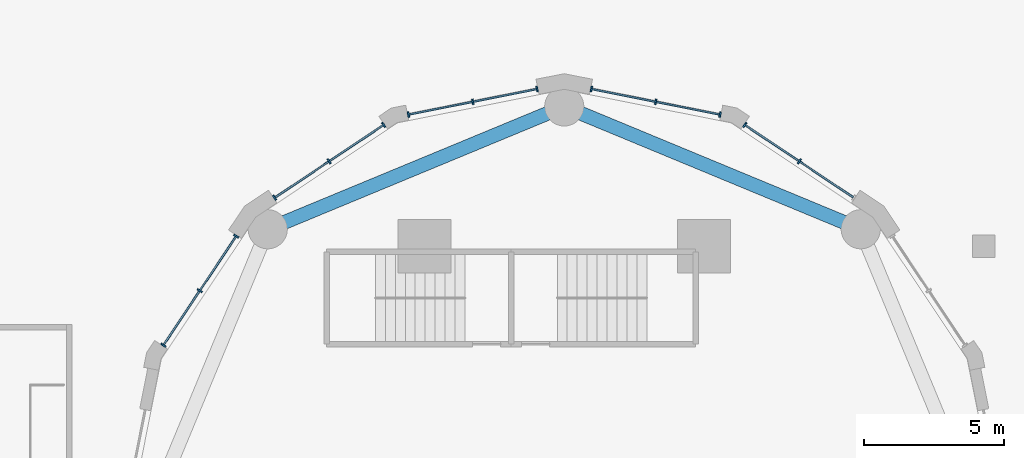
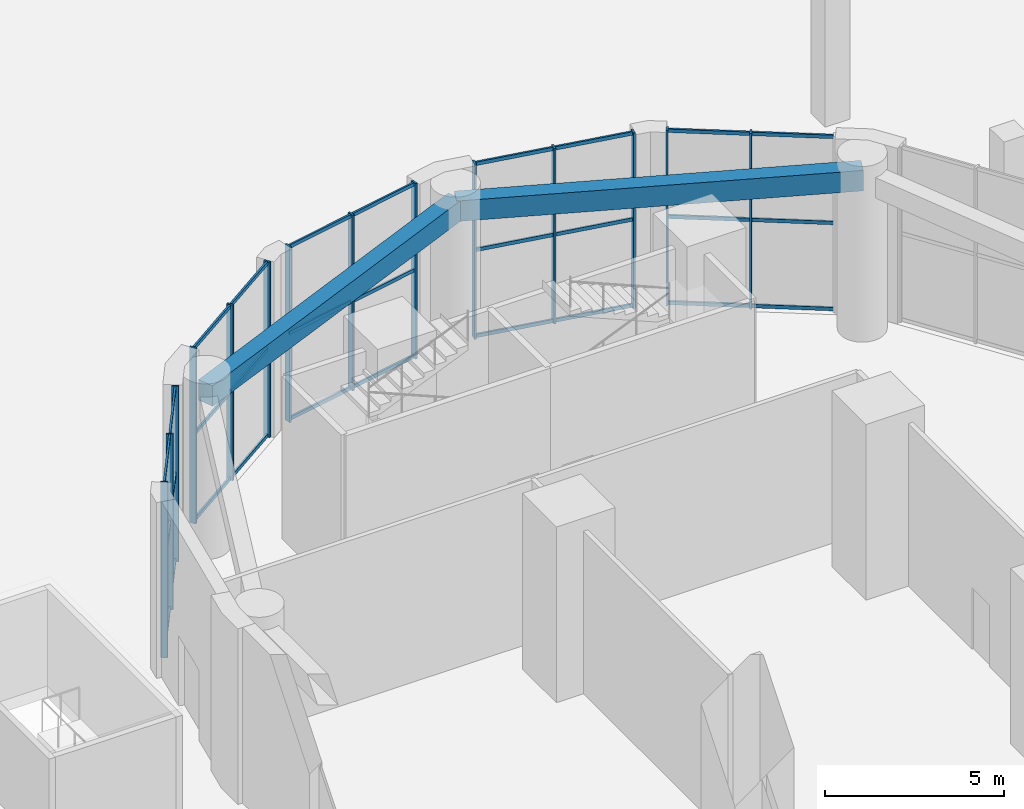
# One storey, part 2 of 21: 44 members, 2 beams, 5 elements without a shape of their own.
"""IFC4 building model written with IfcOpenShell, lengths in metres."""

from ifc_helpers import new_model, si_unit, direction, frame, origin, origin_2d, place, context, subcontext, project, spatial, rectangle, extrude, material, layer, layer_set, material_profile, profile_set, type_object, element, aggregate, save


model = new_model("IFC4")

# Units and contexts
model_context = context("Model", 3, precision=1e-05, world=origin(), true_north=direction((0.0, 1.0)))
body_context = subcontext(model_context, "Body", "Model", "MODEL_VIEW")
ifc_project = project(units=[si_unit("LENGTHUNIT", "METRE"), si_unit("AREAUNIT", "SQUARE_METRE"), si_unit("VOLUMEUNIT", "CUBIC_METRE"), si_unit("PLANEANGLEUNIT", "RADIAN"), si_unit("MASSUNIT", "GRAM", prefix="KILO")], contexts=[model_context])

# Site, building, storey
site_placement = place(None, origin())
site = spatial("IfcSite", under=ifc_project, at=site_placement, CompositionType="ELEMENT")
building_placement = place(site_placement, origin())
building = spatial("IfcBuilding", under=site, at=building_placement, Name="Qaws Garden Tower", CompositionType="ELEMENT")
storey_placement = place(building_placement, origin())
storey = spatial("IfcBuildingStorey", under=building, at=storey_placement, Name="L00", CompositionType="ELEMENT", Elevation=0.0)

# Curtain wall, members
ifc_material_1 = material(Name="Anodised aluminium curtain wall frame", Category="aluminium")
ifc_layer = layer(ifc_material_1, 0.159912109375)
ifc_layer_set = layer_set([ifc_layer], Name="Anodised aluminium curtain wall frame")
curtain_wall_type = type_object("IfcCurtainWallType", Name="CW1 street shopfront curtain wall", PredefinedType="NOTDEFINED", material=ifc_layer_set)
placement = place(storey_placement, origin())
curtain_wall_1 = element("IfcCurtainWall", 1, at=placement, inside=storey, type_object=curtain_wall_type, Name="CW1 Street shopfront 17", PredefinedType="NOTDEFINED")
ifc_material_2 = material(Name="Anodised aluminium curtain wall frame", Category="aluminium")
ifc_material_profile_1 = material_profile(ifc_material_2, rectangle(XDim=0.199951171875, YDim=0.06005859375, at=origin_2d()), Name="AL 60x200")
ifc_profile_set_1 = profile_set([ifc_material_profile_1], Name="Anodised aluminium curtain wall frame")
member_type_1 = type_object("IfcMemberType", Name="CW1 mullion 60 x 200", PredefinedType="MULLION", material=ifc_profile_set_1)
member_1_placement = place(storey_placement, frame((23.409912109375, 73.036376953125, 0.0), z_axis=(0.0, 0.0, 1.0), x_axis=(-0.555570233165, -0.831469612206, 0.0)))
member_1 = element("IfcMember", 2, at=member_1_placement, type_object=member_type_1, Name="CW1 mullion 2", PredefinedType="MULLION", context=body_context, shape_type="SweptSolid", body=[
    extrude(rectangle(XDim=0.199951171875, YDim=0.06005859375, at=origin_2d()), origin(), (0.0, 0.0, 1.0), 6.0),
])
member_2_placement = place(storey_placement, frame((21.458984375, 74.340087890625, 0.0), z_axis=(0.0, 0.0, 1.0), x_axis=(-0.555570233165, -0.831469612206, 0.0)))
member_2 = element("IfcMember", 3, at=member_2_placement, type_object=member_type_1, Name="CW1 mullion 3", PredefinedType="MULLION", context=body_context, shape_type="SweptSolid", body=[
    extrude(rectangle(XDim=0.199951171875, YDim=0.06005859375, at=origin_2d()), origin(), (0.0, 0.0, 1.0), 6.0),
])

curtain_wall_2 = element("IfcCurtainWall", 4, at=placement, inside=storey, type_object=curtain_wall_type, Name="CW1 Street shopfront 18", PredefinedType="NOTDEFINED")
member_3_placement = place(storey_placement, frame((20.57275390625, 74.707275390625, 0.0), z_axis=(0.0, 0.0, 1.0), x_axis=(-0.195090321999, -0.980785280407, 0.0)))
member_3 = element("IfcMember", 5, at=member_3_placement, type_object=member_type_1, Name="CW1 mullion 1", PredefinedType="MULLION", context=body_context, shape_type="SweptSolid", body=[
    extrude(rectangle(XDim=0.199951171875, YDim=0.06005859375, at=origin_2d()), origin(), (0.0, 0.0, 1.0), 6.0),
])
member_4_placement = place(storey_placement, frame((18.271484375, 75.1650390625, 0.0), z_axis=(0.0, 0.0, 1.0), x_axis=(-0.195090321999, -0.980785280407, 0.0)))
member_4 = element("IfcMember", 6, at=member_4_placement, type_object=member_type_1, Name="CW1 mullion 2", PredefinedType="MULLION", context=body_context, shape_type="SweptSolid", body=[
    extrude(rectangle(XDim=0.199951171875, YDim=0.06005859375, at=origin_2d()), origin(), (0.0, 0.0, 1.0), 6.0),
])
member_5_placement = place(storey_placement, frame((15.97021484375, 75.622802734375, 0.0), z_axis=(0.0, 0.0, 1.0), x_axis=(-0.195090321999, -0.980785280407, 0.0)))
member_5 = element("IfcMember", 7, at=member_5_placement, type_object=member_type_1, Name="CW1 mullion 3", PredefinedType="MULLION", context=body_context, shape_type="SweptSolid", body=[
    extrude(rectangle(XDim=0.199951171875, YDim=0.06005859375, at=origin_2d()), origin(), (0.0, 0.0, 1.0), 6.0),
])

curtain_wall_3 = element("IfcCurtainWall", 8, at=placement, inside=storey, type_object=curtain_wall_type, Name="CW1 Street shopfront 19", PredefinedType="NOTDEFINED")
member_6_placement = place(storey_placement, frame((14.02978515625, 75.622802734375, 0.0), z_axis=(0.0, 0.0, 1.0), x_axis=(0.195090321999, -0.980785280407, 0.0)))
member_6 = element("IfcMember", 9, at=member_6_placement, type_object=member_type_1, Name="CW1 mullion 1", PredefinedType="MULLION", context=body_context, shape_type="SweptSolid", body=[
    extrude(rectangle(XDim=0.199951171875, YDim=0.06005859375, at=origin_2d()), origin(), (0.0, 0.0, 1.0), 6.0),
])
member_7_placement = place(storey_placement, frame((11.728515625, 75.1650390625, 0.0), z_axis=(0.0, 0.0, 1.0), x_axis=(0.195090321999, -0.980785280407, 0.0)))
member_7 = element("IfcMember", 10, at=member_7_placement, type_object=member_type_1, Name="CW1 mullion 2", PredefinedType="MULLION", context=body_context, shape_type="SweptSolid", body=[
    extrude(rectangle(XDim=0.199951171875, YDim=0.06005859375, at=origin_2d()), origin(), (0.0, 0.0, 1.0), 6.0),
])
member_8_placement = place(storey_placement, frame((9.42724609375, 74.707275390625, 0.0), z_axis=(0.0, 0.0, 1.0), x_axis=(0.195090321999, -0.980785280407, 0.0)))
member_8 = element("IfcMember", 11, at=member_8_placement, type_object=member_type_1, Name="CW1 mullion 3", PredefinedType="MULLION", context=body_context, shape_type="SweptSolid", body=[
    extrude(rectangle(XDim=0.199951171875, YDim=0.06005859375, at=origin_2d()), origin(), (0.0, 0.0, 1.0), 6.0),
])

curtain_wall_4 = element("IfcCurtainWall", 12, at=placement, inside=storey, type_object=curtain_wall_type, Name="CW1 Street shopfront 20", PredefinedType="NOTDEFINED")
member_9_placement = place(storey_placement, frame((8.541015625, 74.340087890625, 0.0), z_axis=(0.0, 0.0, 1.0), x_axis=(0.555570233165, -0.831469612206, 0.0)))
member_9 = element("IfcMember", 13, at=member_9_placement, type_object=member_type_1, Name="CW1 mullion 1", PredefinedType="MULLION", context=body_context, shape_type="SweptSolid", body=[
    extrude(rectangle(XDim=0.199951171875, YDim=0.06005859375, at=origin_2d()), origin(), (0.0, 0.0, 1.0), 6.0),
])
member_10_placement = place(storey_placement, frame((6.590087890625, 73.036376953125, 0.0), z_axis=(0.0, 0.0, 1.0), x_axis=(0.555570233165, -0.831469612206, 0.0)))
member_10 = element("IfcMember", 14, at=member_10_placement, type_object=member_type_1, Name="CW1 mullion 2", PredefinedType="MULLION", context=body_context, shape_type="SweptSolid", body=[
    extrude(rectangle(XDim=0.199951171875, YDim=0.06005859375, at=origin_2d()), origin(), (0.0, 0.0, 1.0), 6.0),
])
member_11_placement = place(storey_placement, frame((4.63916015625, 71.73291015625, 0.0), z_axis=(0.0, 0.0, 1.0), x_axis=(0.555570233165, -0.831469612206, 0.0)))
member_11 = element("IfcMember", 15, at=member_11_placement, type_object=member_type_1, Name="CW1 mullion 3", PredefinedType="MULLION", context=body_context, shape_type="SweptSolid", body=[
    extrude(rectangle(XDim=0.199951171875, YDim=0.06005859375, at=origin_2d()), origin(), (0.0, 0.0, 1.0), 6.0),
])

curtain_wall_5 = element("IfcCurtainWall", 16, at=placement, inside=storey, type_object=curtain_wall_type, Name="CW1 Street shopfront 21", PredefinedType="NOTDEFINED")
member_12_placement = place(storey_placement, frame((3.26708984375, 70.36083984375, 0.0), z_axis=(0.0, 0.0, 1.0), x_axis=(0.831469612206, -0.555570233165, 0.0)))
member_12 = element("IfcMember", 17, at=member_12_placement, type_object=member_type_1, Name="CW1 mullion 1", PredefinedType="MULLION", context=body_context, shape_type="SweptSolid", body=[
    extrude(rectangle(XDim=0.199951171875, YDim=0.06005859375, at=origin_2d()), origin(), (0.0, 0.0, 1.0), 6.0),
])
member_13_placement = place(storey_placement, frame((1.963623046875, 68.409912109375, 0.0), z_axis=(0.0, 0.0, 1.0), x_axis=(0.831469612206, -0.555570233165, 0.0)))
member_13 = element("IfcMember", 18, at=member_13_placement, type_object=member_type_1, Name="CW1 mullion 2", PredefinedType="MULLION", context=body_context, shape_type="SweptSolid", body=[
    extrude(rectangle(XDim=0.199951171875, YDim=0.06005859375, at=origin_2d()), origin(), (0.0, 0.0, 1.0), 6.0),
])
member_14_placement = place(storey_placement, frame((0.659912109375, 66.458984375, 0.0), z_axis=(0.0, 0.0, 1.0), x_axis=(0.831469612206, -0.555570233165, 0.0)))
member_14 = element("IfcMember", 19, at=member_14_placement, type_object=member_type_1, Name="CW1 mullion 3", PredefinedType="MULLION", context=body_context, shape_type="SweptSolid", body=[
    extrude(rectangle(XDim=0.199951171875, YDim=0.06005859375, at=origin_2d()), origin(), (0.0, 0.0, 1.0), 6.0),
])

# Member
ifc_material_3 = material(Name="Anodised aluminium curtain wall frame", Category="aluminium")
ifc_material_profile_2 = material_profile(ifc_material_3, rectangle(XDim=0.06005859375, YDim=0.1201171875, at=origin_2d()), Name="AL 60x120")
ifc_profile_set_2 = profile_set([ifc_material_profile_2], Name="Anodised aluminium curtain wall frame")
member_type_2 = type_object("IfcMemberType", Name="CW1 transom 120 x 60", PredefinedType="USERDEFINED", material=ifc_profile_set_2)
member_15_placement = place(storey_placement, frame((25.3359375, 71.74951171875, 0.06005859375), z_axis=(-0.831441931492, 0.555611658047, 0.0), x_axis=(-0.555611658047, -0.831441931492, 0.0)))
member_15 = element("IfcMember", 20, at=member_15_placement, type_object=member_type_2, Name="CW1 transom 1.1", ObjectType="TRANSOM", PredefinedType="USERDEFINED", context=body_context, shape_type="SweptSolid", body=[
    extrude(rectangle(XDim=0.06005859375, YDim=0.1201171875, at=origin_2d()), origin(), (0.0, 0.0, 1.0), 2.2861328125),
])

member_16_placement = place(storey_placement, frame((25.3359375, 71.74951171875, 3.0), z_axis=(-0.831441931492, 0.555611658047, 0.0), x_axis=(-0.555611658047, -0.831441931492, 0.0)))
member_16 = element("IfcMember", 21, at=member_16_placement, type_object=member_type_2, Name="CW1 transom 1.2", ObjectType="TRANSOM", PredefinedType="USERDEFINED", context=body_context, shape_type="SweptSolid", body=[
    extrude(rectangle(XDim=0.06005859375, YDim=0.1201171875, at=origin_2d()), origin(), (0.0, 0.0, 1.0), 2.2861328125),
])

member_17_placement = place(storey_placement, frame((25.3359375, 71.74951171875, 5.93994140625), z_axis=(-0.831441931492, 0.555611658047, 0.0), x_axis=(-0.555611658047, -0.831441931492, 0.0)))
member_17 = element("IfcMember", 22, at=member_17_placement, type_object=member_type_2, Name="CW1 transom 1.3", ObjectType="TRANSOM", PredefinedType="USERDEFINED", context=body_context, shape_type="SweptSolid", body=[
    extrude(rectangle(XDim=0.06005859375, YDim=0.1201171875, at=origin_2d()), origin(), (0.0, 0.0, 1.0), 2.2861328125),
])

member_18_placement = place(storey_placement, frame((23.385009765625, 73.05322265625, 0.06005859375), z_axis=(-0.831491262241, 0.555537830231, 0.0), x_axis=(-0.555537830231, -0.831491262241, 0.0)))
member_18 = element("IfcMember", 23, at=member_18_placement, type_object=member_type_2, Name="CW1 transom 2.1", ObjectType="TRANSOM", PredefinedType="USERDEFINED", context=body_context, shape_type="SweptSolid", body=[
    extrude(rectangle(XDim=0.06005859375, YDim=0.1201171875, at=origin_2d()), origin(), (0.0, 0.0, 1.0), 2.2861328125),
])

member_19_placement = place(storey_placement, frame((23.385009765625, 73.05322265625, 3.0), z_axis=(-0.831491262241, 0.555537830231, 0.0), x_axis=(-0.555537830231, -0.831491262241, 0.0)))
member_19 = element("IfcMember", 24, at=member_19_placement, type_object=member_type_2, Name="CW1 transom 2.2", ObjectType="TRANSOM", PredefinedType="USERDEFINED", context=body_context, shape_type="SweptSolid", body=[
    extrude(rectangle(XDim=0.06005859375, YDim=0.1201171875, at=origin_2d()), origin(), (0.0, 0.0, 1.0), 2.2861328125),
])

member_20_placement = place(storey_placement, frame((23.385009765625, 73.05322265625, 5.93994140625), z_axis=(-0.831491262241, 0.555537830231, 0.0), x_axis=(-0.555537830231, -0.831491262241, 0.0)))
member_20 = element("IfcMember", 25, at=member_20_placement, type_object=member_type_2, Name="CW1 transom 2.3", ObjectType="TRANSOM", PredefinedType="USERDEFINED", context=body_context, shape_type="SweptSolid", body=[
    extrude(rectangle(XDim=0.06005859375, YDim=0.1201171875, at=origin_2d()), origin(), (0.0, 0.0, 1.0), 2.2861328125),
])

aggregate(curtain_wall_1, [member_1, member_2, member_15, member_16, member_17, member_18, member_19, member_20])

member_21_placement = place(storey_placement, frame((20.543212890625, 74.713134765625, 0.06005859375), z_axis=(-0.980785486648, 0.19508928515, 0.0), x_axis=(-0.19508928515, -0.980785486648, 0.0)))
member_21 = element("IfcMember", 26, at=member_21_placement, type_object=member_type_2, Name="CW1 transom 1.1", ObjectType="TRANSOM", PredefinedType="USERDEFINED", context=body_context, shape_type="SweptSolid", body=[
    extrude(rectangle(XDim=0.06005859375, YDim=0.1201171875, at=origin_2d()), origin(), (0.0, 0.0, 1.0), 2.286376953125),
])

member_22_placement = place(storey_placement, frame((20.543212890625, 74.713134765625, 3.0), z_axis=(-0.980785486648, 0.19508928515, 0.0), x_axis=(-0.19508928515, -0.980785486648, 0.0)))
member_22 = element("IfcMember", 27, at=member_22_placement, type_object=member_type_2, Name="CW1 transom 1.2", ObjectType="TRANSOM", PredefinedType="USERDEFINED", context=body_context, shape_type="SweptSolid", body=[
    extrude(rectangle(XDim=0.06005859375, YDim=0.1201171875, at=origin_2d()), origin(), (0.0, 0.0, 1.0), 2.286376953125),
])

member_23_placement = place(storey_placement, frame((20.543212890625, 74.713134765625, 5.93994140625), z_axis=(-0.980785486648, 0.19508928515, 0.0), x_axis=(-0.19508928515, -0.980785486648, 0.0)))
member_23 = element("IfcMember", 28, at=member_23_placement, type_object=member_type_2, Name="CW1 transom 1.3", ObjectType="TRANSOM", PredefinedType="USERDEFINED", context=body_context, shape_type="SweptSolid", body=[
    extrude(rectangle(XDim=0.06005859375, YDim=0.1201171875, at=origin_2d()), origin(), (0.0, 0.0, 1.0), 2.286376953125),
])

member_24_placement = place(storey_placement, frame((18.241943359375, 75.1708984375, 0.06005859375), z_axis=(-0.980785486648, 0.19508928515, 0.0), x_axis=(-0.19508928515, -0.980785486648, 0.0)))
member_24 = element("IfcMember", 29, at=member_24_placement, type_object=member_type_2, Name="CW1 transom 2.1", ObjectType="TRANSOM", PredefinedType="USERDEFINED", context=body_context, shape_type="SweptSolid", body=[
    extrude(rectangle(XDim=0.06005859375, YDim=0.1201171875, at=origin_2d()), origin(), (0.0, 0.0, 1.0), 2.286376953125),
])

member_25_placement = place(storey_placement, frame((18.241943359375, 75.1708984375, 3.0), z_axis=(-0.980785486648, 0.19508928515, 0.0), x_axis=(-0.19508928515, -0.980785486648, 0.0)))
member_25 = element("IfcMember", 30, at=member_25_placement, type_object=member_type_2, Name="CW1 transom 2.2", ObjectType="TRANSOM", PredefinedType="USERDEFINED", context=body_context, shape_type="SweptSolid", body=[
    extrude(rectangle(XDim=0.06005859375, YDim=0.1201171875, at=origin_2d()), origin(), (0.0, 0.0, 1.0), 2.286376953125),
])

member_26_placement = place(storey_placement, frame((18.241943359375, 75.1708984375, 5.93994140625), z_axis=(-0.980785486648, 0.19508928515, 0.0), x_axis=(-0.19508928515, -0.980785486648, 0.0)))
member_26 = element("IfcMember", 31, at=member_26_placement, type_object=member_type_2, Name="CW1 transom 2.3", ObjectType="TRANSOM", PredefinedType="USERDEFINED", context=body_context, shape_type="SweptSolid", body=[
    extrude(rectangle(XDim=0.06005859375, YDim=0.1201171875, at=origin_2d()), origin(), (0.0, 0.0, 1.0), 2.286376953125),
])

aggregate(curtain_wall_2, [member_3, member_4, member_5, member_21, member_22, member_23, member_24, member_25, member_26])

member_27_placement = place(storey_placement, frame((14.00048828125, 75.616943359375, 0.06005859375), z_axis=(-0.980785486648, -0.19508928515, 0.0), x_axis=(0.19508928515, -0.980785486648, 0.0)))
member_27 = element("IfcMember", 32, at=member_27_placement, type_object=member_type_2, Name="CW1 transom 1.1", ObjectType="TRANSOM", PredefinedType="USERDEFINED", context=body_context, shape_type="SweptSolid", body=[
    extrude(rectangle(XDim=0.06005859375, YDim=0.1201171875, at=origin_2d()), origin(), (0.0, 0.0, 1.0), 2.286376953125),
])

member_28_placement = place(storey_placement, frame((14.00048828125, 75.616943359375, 3.0), z_axis=(-0.980785486648, -0.19508928515, 0.0), x_axis=(0.19508928515, -0.980785486648, 0.0)))
member_28 = element("IfcMember", 33, at=member_28_placement, type_object=member_type_2, Name="CW1 transom 1.2", ObjectType="TRANSOM", PredefinedType="USERDEFINED", context=body_context, shape_type="SweptSolid", body=[
    extrude(rectangle(XDim=0.06005859375, YDim=0.1201171875, at=origin_2d()), origin(), (0.0, 0.0, 1.0), 2.286376953125),
])

member_29_placement = place(storey_placement, frame((14.00048828125, 75.616943359375, 5.93994140625), z_axis=(-0.980785486648, -0.19508928515, 0.0), x_axis=(0.19508928515, -0.980785486648, 0.0)))
member_29 = element("IfcMember", 34, at=member_29_placement, type_object=member_type_2, Name="CW1 transom 1.3", ObjectType="TRANSOM", PredefinedType="USERDEFINED", context=body_context, shape_type="SweptSolid", body=[
    extrude(rectangle(XDim=0.06005859375, YDim=0.1201171875, at=origin_2d()), origin(), (0.0, 0.0, 1.0), 2.286376953125),
])

member_30_placement = place(storey_placement, frame((11.69921875, 75.1591796875, 0.06005859375), z_axis=(-0.980785486648, -0.19508928515, 0.0), x_axis=(0.19508928515, -0.980785486648, 0.0)))
member_30 = element("IfcMember", 35, at=member_30_placement, type_object=member_type_2, Name="CW1 transom 2.1", ObjectType="TRANSOM", PredefinedType="USERDEFINED", context=body_context, shape_type="SweptSolid", body=[
    extrude(rectangle(XDim=0.06005859375, YDim=0.1201171875, at=origin_2d()), origin(), (0.0, 0.0, 1.0), 2.286376953125),
])

member_31_placement = place(storey_placement, frame((11.69921875, 75.1591796875, 3.0), z_axis=(-0.980785486648, -0.19508928515, 0.0), x_axis=(0.19508928515, -0.980785486648, 0.0)))
member_31 = element("IfcMember", 36, at=member_31_placement, type_object=member_type_2, Name="CW1 transom 2.2", ObjectType="TRANSOM", PredefinedType="USERDEFINED", context=body_context, shape_type="SweptSolid", body=[
    extrude(rectangle(XDim=0.06005859375, YDim=0.1201171875, at=origin_2d()), origin(), (0.0, 0.0, 1.0), 2.286376953125),
])

member_32_placement = place(storey_placement, frame((11.69921875, 75.1591796875, 5.93994140625), z_axis=(-0.980785486648, -0.19508928515, 0.0), x_axis=(0.19508928515, -0.980785486648, 0.0)))
member_32 = element("IfcMember", 37, at=member_32_placement, type_object=member_type_2, Name="CW1 transom 2.3", ObjectType="TRANSOM", PredefinedType="USERDEFINED", context=body_context, shape_type="SweptSolid", body=[
    extrude(rectangle(XDim=0.06005859375, YDim=0.1201171875, at=origin_2d()), origin(), (0.0, 0.0, 1.0), 2.286376953125),
])

aggregate(curtain_wall_3, [member_6, member_7, member_8, member_27, member_28, member_29, member_30, member_31, member_32])

member_33_placement = place(storey_placement, frame((8.515869140625, 74.3232421875, 0.06005859375), z_axis=(-0.831491262241, -0.555537830231, 0.0), x_axis=(0.555537830231, -0.831491262241, 0.0)))
member_33 = element("IfcMember", 38, at=member_33_placement, type_object=member_type_2, Name="CW1 transom 1.1", ObjectType="TRANSOM", PredefinedType="USERDEFINED", context=body_context, shape_type="SweptSolid", body=[
    extrude(rectangle(XDim=0.06005859375, YDim=0.1201171875, at=origin_2d()), origin(), (0.0, 0.0, 1.0), 2.2861328125),
])

member_34_placement = place(storey_placement, frame((8.515869140625, 74.3232421875, 3.0), z_axis=(-0.831491262241, -0.555537830231, 0.0), x_axis=(0.555537830231, -0.831491262241, 0.0)))
member_34 = element("IfcMember", 39, at=member_34_placement, type_object=member_type_2, Name="CW1 transom 1.2", ObjectType="TRANSOM", PredefinedType="USERDEFINED", context=body_context, shape_type="SweptSolid", body=[
    extrude(rectangle(XDim=0.06005859375, YDim=0.1201171875, at=origin_2d()), origin(), (0.0, 0.0, 1.0), 2.2861328125),
])

member_35_placement = place(storey_placement, frame((8.515869140625, 74.3232421875, 5.93994140625), z_axis=(-0.831491262241, -0.555537830231, 0.0), x_axis=(0.555537830231, -0.831491262241, 0.0)))
member_35 = element("IfcMember", 40, at=member_35_placement, type_object=member_type_2, Name="CW1 transom 1.3", ObjectType="TRANSOM", PredefinedType="USERDEFINED", context=body_context, shape_type="SweptSolid", body=[
    extrude(rectangle(XDim=0.06005859375, YDim=0.1201171875, at=origin_2d()), origin(), (0.0, 0.0, 1.0), 2.2861328125),
])

member_36_placement = place(storey_placement, frame((6.56494140625, 73.019775390625, 0.06005859375), z_axis=(-0.831441931492, -0.555611658047, 0.0), x_axis=(0.555611658047, -0.831441931492, 0.0)))
member_36 = element("IfcMember", 41, at=member_36_placement, type_object=member_type_2, Name="CW1 transom 2.1", ObjectType="TRANSOM", PredefinedType="USERDEFINED", context=body_context, shape_type="SweptSolid", body=[
    extrude(rectangle(XDim=0.06005859375, YDim=0.1201171875, at=origin_2d()), origin(), (0.0, 0.0, 1.0), 2.2861328125),
])

member_37_placement = place(storey_placement, frame((6.56494140625, 73.019775390625, 3.0), z_axis=(-0.831441931492, -0.555611658047, 0.0), x_axis=(0.555611658047, -0.831441931492, 0.0)))
member_37 = element("IfcMember", 42, at=member_37_placement, type_object=member_type_2, Name="CW1 transom 2.2", ObjectType="TRANSOM", PredefinedType="USERDEFINED", context=body_context, shape_type="SweptSolid", body=[
    extrude(rectangle(XDim=0.06005859375, YDim=0.1201171875, at=origin_2d()), origin(), (0.0, 0.0, 1.0), 2.2861328125),
])

member_38_placement = place(storey_placement, frame((6.56494140625, 73.019775390625, 5.93994140625), z_axis=(-0.831441931492, -0.555611658047, 0.0), x_axis=(0.555611658047, -0.831441931492, 0.0)))
member_38 = element("IfcMember", 43, at=member_38_placement, type_object=member_type_2, Name="CW1 transom 2.3", ObjectType="TRANSOM", PredefinedType="USERDEFINED", context=body_context, shape_type="SweptSolid", body=[
    extrude(rectangle(XDim=0.06005859375, YDim=0.1201171875, at=origin_2d()), origin(), (0.0, 0.0, 1.0), 2.2861328125),
])

aggregate(curtain_wall_4, [member_9, member_10, member_11, member_33, member_34, member_35, member_36, member_37, member_38])

member_39_placement = place(storey_placement, frame((3.25048828125, 70.3359375, 0.06005859375), z_axis=(-0.555611658047, -0.831441931492, 0.0), x_axis=(0.831441931492, -0.555611658047, 0.0)))
member_39 = element("IfcMember", 44, at=member_39_placement, type_object=member_type_2, Name="CW1 transom 1.1", ObjectType="TRANSOM", PredefinedType="USERDEFINED", context=body_context, shape_type="SweptSolid", body=[
    extrude(rectangle(XDim=0.06005859375, YDim=0.1201171875, at=origin_2d()), origin(), (0.0, 0.0, 1.0), 2.2861328125),
])

member_40_placement = place(storey_placement, frame((3.25048828125, 70.3359375, 3.0), z_axis=(-0.555611658047, -0.831441931492, 0.0), x_axis=(0.831441931492, -0.555611658047, 0.0)))
member_40 = element("IfcMember", 45, at=member_40_placement, type_object=member_type_2, Name="CW1 transom 1.2", ObjectType="TRANSOM", PredefinedType="USERDEFINED", context=body_context, shape_type="SweptSolid", body=[
    extrude(rectangle(XDim=0.06005859375, YDim=0.1201171875, at=origin_2d()), origin(), (0.0, 0.0, 1.0), 2.2861328125),
])

member_41_placement = place(storey_placement, frame((3.25048828125, 70.3359375, 5.93994140625), z_axis=(-0.555611658047, -0.831441931492, 0.0), x_axis=(0.831441931492, -0.555611658047, 0.0)))
member_41 = element("IfcMember", 46, at=member_41_placement, type_object=member_type_2, Name="CW1 transom 1.3", ObjectType="TRANSOM", PredefinedType="USERDEFINED", context=body_context, shape_type="SweptSolid", body=[
    extrude(rectangle(XDim=0.06005859375, YDim=0.1201171875, at=origin_2d()), origin(), (0.0, 0.0, 1.0), 2.2861328125),
])

member_42_placement = place(storey_placement, frame((1.94677734375, 68.385009765625, 0.06005859375), z_axis=(-0.555537830231, -0.831491262241, 0.0), x_axis=(0.831491262241, -0.555537830231, 0.0)))
member_42 = element("IfcMember", 47, at=member_42_placement, type_object=member_type_2, Name="CW1 transom 2.1", ObjectType="TRANSOM", PredefinedType="USERDEFINED", context=body_context, shape_type="SweptSolid", body=[
    extrude(rectangle(XDim=0.06005859375, YDim=0.1201171875, at=origin_2d()), origin(), (0.0, 0.0, 1.0), 2.2861328125),
])

member_43_placement = place(storey_placement, frame((1.94677734375, 68.385009765625, 3.0), z_axis=(-0.555537830231, -0.831491262241, 0.0), x_axis=(0.831491262241, -0.555537830231, 0.0)))
member_43 = element("IfcMember", 48, at=member_43_placement, type_object=member_type_2, Name="CW1 transom 2.2", ObjectType="TRANSOM", PredefinedType="USERDEFINED", context=body_context, shape_type="SweptSolid", body=[
    extrude(rectangle(XDim=0.06005859375, YDim=0.1201171875, at=origin_2d()), origin(), (0.0, 0.0, 1.0), 2.2861328125),
])

member_44_placement = place(storey_placement, frame((1.94677734375, 68.385009765625, 5.93994140625), z_axis=(-0.555537830231, -0.831491262241, 0.0), x_axis=(0.831491262241, -0.555537830231, 0.0)))
member_44 = element("IfcMember", 49, at=member_44_placement, type_object=member_type_2, Name="CW1 transom 2.3", ObjectType="TRANSOM", PredefinedType="USERDEFINED", context=body_context, shape_type="SweptSolid", body=[
    extrude(rectangle(XDim=0.06005859375, YDim=0.1201171875, at=origin_2d()), origin(), (0.0, 0.0, 1.0), 2.2861328125),
])

aggregate(curtain_wall_5, [member_12, member_13, member_14, member_39, member_40, member_41, member_42, member_43, member_44])

# Beams
ifc_material_4 = material(Name="Concrete C45", Category="concrete")
ifc_material_profile_3 = material_profile(ifc_material_4, rectangle(XDim=0.5, YDim=0.699951171875, at=origin_2d()), Name="RC 500x700")
ifc_profile_set_3 = profile_set([ifc_material_profile_3], Name="Concrete C45")
beam_type = type_object("IfcBeamType", Name="Spandrel beam RC 500x700 C45", PredefinedType="SPANDREL", material=ifc_profile_set_3)
for number, where, z_axis, x_axis, name in (
    (50, (25.606689453125, 70.606689453125, 5.199951171875), (-0.923883353507, 0.382674207535, 0.0), (-0.382674207535, -0.923883353507, 0.0), "Spandrel beam L00-017"),
    (51, (15.0, 75.0, 5.199951171875), (-0.923883353507, -0.382674207535, 0.0), (0.382674207535, -0.923883353507, 0.0), "Spandrel beam L00-018"),
):
    element("IfcBeam", number, at=place(storey_placement, frame(where, z_axis=z_axis, x_axis=x_axis)), inside=storey, type_object=beam_type, Name=name, PredefinedType="SPANDREL", context=body_context, shape_type="SweptSolid", body=[
        extrude(rectangle(XDim=0.5, YDim=0.699951171875, at=origin_2d()), origin(), (0.0, 0.0, 1.0), 11.48046875),
    ])

save(model, "model.ifc")
